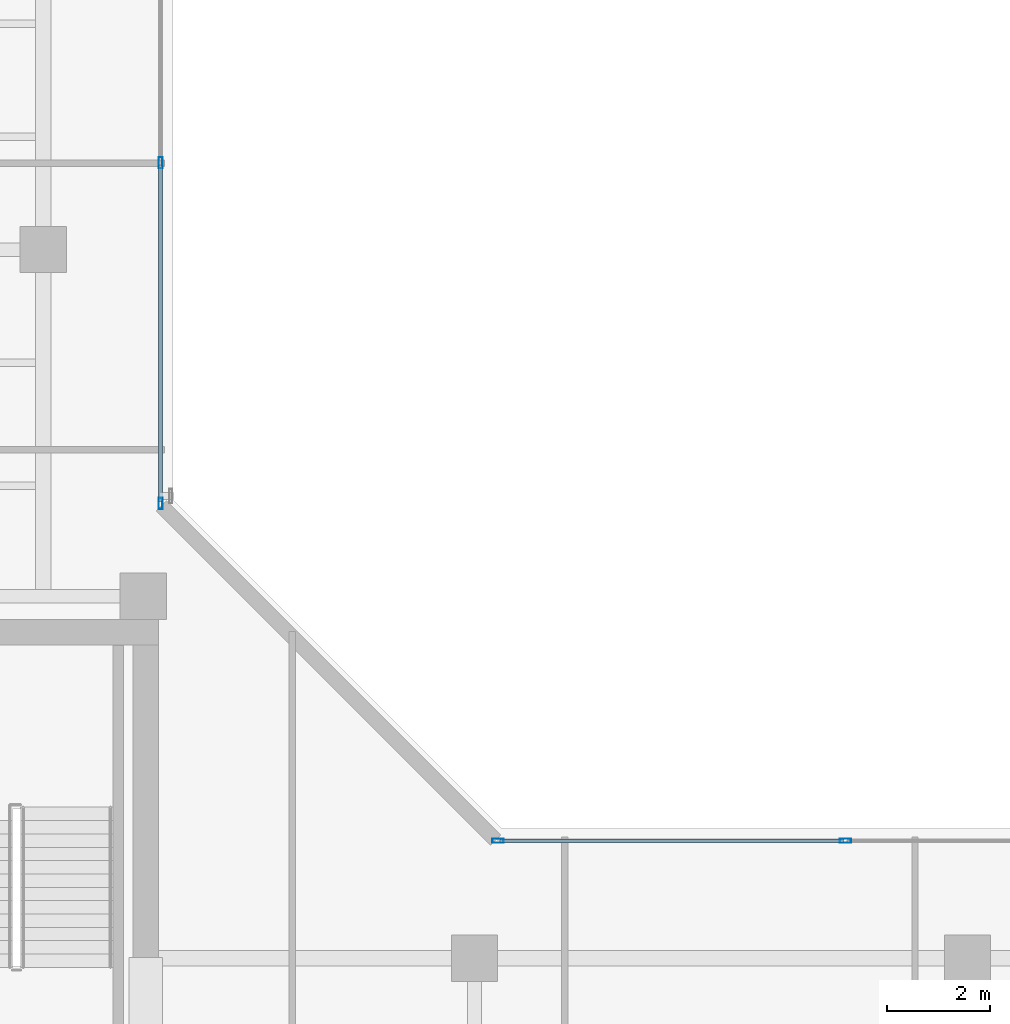
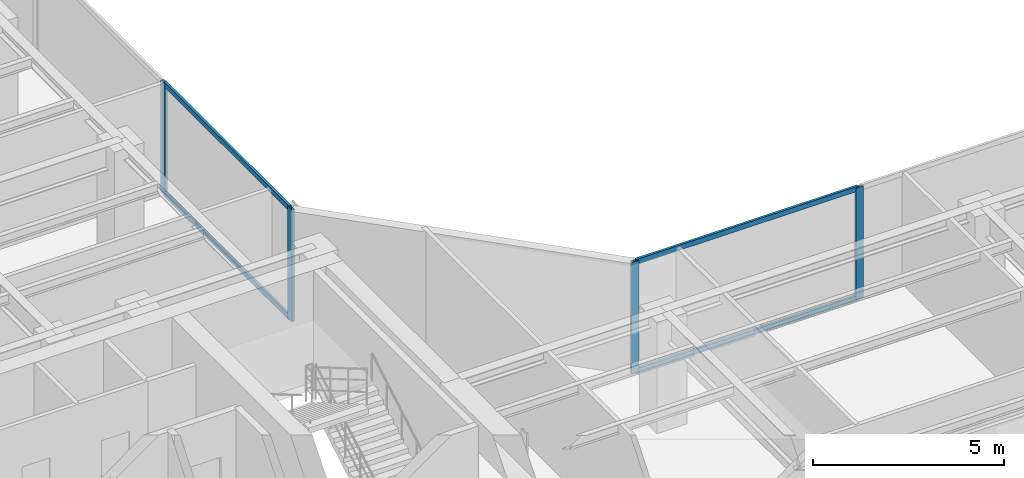
# One storey, part 9 of 23: 8 members, 2 elements without a shape of their own.
"""IFC4 building model written with IfcOpenShell, lengths in metres."""

from ifc_helpers import new_model, si_unit, direction, frame, origin, origin_with_axes, origin_2d, place, context, subcontext, project, spatial, hollow_rectangle, extrude, source, transform, mapped, material, layer, layer_set, material_profile, profile_set, type_object, element, aggregate, save


model = new_model("IFC4")

# Units and contexts
model_context = context("Model", 3, precision=1e-05, world=origin(), true_north=direction((0.0, 1.0)))
body_context = subcontext(model_context, "Body", "Model", "MODEL_VIEW")
ifc_project = project(units=[si_unit("LENGTHUNIT", "METRE"), si_unit("AREAUNIT", "SQUARE_METRE"), si_unit("VOLUMEUNIT", "CUBIC_METRE"), si_unit("PLANEANGLEUNIT", "RADIAN"), si_unit("MASSUNIT", "GRAM", prefix="KILO")], contexts=[model_context])

# Site, building, storey
site_placement = place(None, origin())
site = spatial("IfcSite", under=ifc_project, at=site_placement, CompositionType="ELEMENT")
building_placement = place(site_placement, origin())
building = spatial("IfcBuilding", under=site, at=building_placement, Name="Kolvaren Waterfront Exchange", CompositionType="ELEMENT")
storey_placement = place(building_placement, frame((0.0, 0.0, 289.39990234375)))
storey = spatial("IfcBuildingStorey", under=building, at=storey_placement, Name="L74", CompositionType="ELEMENT", Elevation=289.39990234375)

# Curtain wall, members
ifc_material_1 = material(Name="Anodised bronze aluminium 6063-T6", Category="aluminium")
ifc_layer = layer(ifc_material_1, 0.219970703125, Name="Anodised bronze aluminium 6063-T6")
ifc_layer_set = layer_set([ifc_layer], Name="Anodised bronze aluminium 6063-T6")
curtain_wall_type = type_object("IfcCurtainWallType", Name="ARC-CW-SYS1", PredefinedType="USERDEFINED", material=ifc_layer_set)
curtain_wall_1_placement = place(storey_placement, origin())
curtain_wall_1 = element("IfcCurtainWall", 1, at=curtain_wall_1_placement, inside=storey, type_object=curtain_wall_type, Name="L74 stick curtain wall CW1 (CW-L74-NE)", ObjectType="STICK CURTAIN WALL", PredefinedType="USERDEFINED")
ifc_material_2 = material(Name="Anodised aluminium 6063-T6", Category="aluminium")
ifc_material_profile_1 = material_profile(ifc_material_2, hollow_rectangle(XDim=0.080078125, YDim=0.219970703125, WallThickness=0.0048828125, at=origin_2d()), Name="ALU-MUL-220x80x5")
ifc_profile_set_1 = profile_set([ifc_material_profile_1], Name="Anodised aluminium 6063-T6")
member_type_1 = type_object("IfcMemberType", Name="ARC-CWM-220", PredefinedType="MULLION", material=ifc_profile_set_1)
shared_shape_1 = source(origin_with_axes(), body_context, "Body", "SweptSolid", [
    extrude(hollow_rectangle(XDim=0.080078125, YDim=0.219970703125, WallThickness=0.0048828125, at=origin_2d()), origin(), (0.0, 0.0, 1.0), 3.56005859375),
])
member_1_placement = place(storey_placement, frame((21.086181640625, 26.25634765625, 0.0), z_axis=(0.0, 0.0, 1.0), x_axis=(-1.0, 0.0, 0.0)))
member_1 = element("IfcMember", 2, at=member_1_placement, type_object=member_type_1, Name="CW1 mullion 1", PredefinedType="MULLION", context=body_context, shape_type="MappedRepresentation", body=[
    mapped(shared_shape_1, transform((0.0, 0.0, 0.0), x_axis=(1.0, 0.0, 0.0), y_axis=(0.0, 1.0, 0.0), z_axis=(0.0, 0.0, 1.0), scale=1.0)),
])
member_2_placement = place(storey_placement, frame((21.086181640625, 32.8916015625, 0.0), z_axis=(0.0, 0.0, 1.0), x_axis=(-1.0, 0.0, 0.0)))
member_2 = element("IfcMember", 3, at=member_2_placement, type_object=member_type_1, Name="CW1 mullion 2", PredefinedType="MULLION", context=body_context, shape_type="MappedRepresentation", body=[
    mapped(shared_shape_1, transform((0.0, 0.0, 0.0), x_axis=(1.0, 0.0, 0.0), y_axis=(0.0, 1.0, 0.0), z_axis=(0.0, 0.0, 1.0), scale=1.0)),
])

curtain_wall_2_placement = place(storey_placement, origin())
curtain_wall_2 = element("IfcCurtainWall", 4, at=curtain_wall_2_placement, inside=storey, type_object=curtain_wall_type, Name="L74 stick curtain wall CW1 (CW-L74-EN)", ObjectType="STICK CURTAIN WALL", PredefinedType="USERDEFINED")
member_3_placement = place(storey_placement, frame((27.65625, 19.686279296875, 0.0), z_axis=(0.0, 0.0, 1.0), x_axis=(0.0, 1.0, 0.0)))
member_3 = element("IfcMember", 5, at=member_3_placement, type_object=member_type_1, Name="CW1 mullion 1", PredefinedType="MULLION", context=body_context, shape_type="MappedRepresentation", body=[
    mapped(shared_shape_1, transform((0.0, 0.0, 0.0), x_axis=(1.0, 0.0, 0.0), y_axis=(0.0, 1.0, 0.0), z_axis=(0.0, 0.0, 1.0), scale=1.0)),
])
member_4_placement = place(storey_placement, frame((34.4248046875, 19.686279296875, 0.0), z_axis=(0.0, 0.0, 1.0), x_axis=(0.0, 1.0, 0.0)))
member_4 = element("IfcMember", 6, at=member_4_placement, type_object=member_type_1, Name="CW1 mullion 2", PredefinedType="MULLION", context=body_context, shape_type="MappedRepresentation", body=[
    mapped(shared_shape_1, transform((0.0, 0.0, 0.0), x_axis=(1.0, 0.0, 0.0), y_axis=(0.0, 1.0, 0.0), z_axis=(0.0, 0.0, 1.0), scale=1.0)),
])

# Member
ifc_material_profile_2 = material_profile(ifc_material_2, hollow_rectangle(XDim=0.074951171875, YDim=0.159912109375, WallThickness=0.00439453125, at=origin_2d()), Name="ALU-TRN-160x75x4.5")
ifc_profile_set_2 = profile_set([ifc_material_profile_2], Name="Anodised aluminium 6063-T6")
member_type_2 = type_object("IfcMemberType", Name="ARC-CWT-160", PredefinedType="USERDEFINED", material=ifc_profile_set_2)
shared_shape_2 = source(origin_with_axes(), body_context, "Body", "SweptSolid", [
    extrude(hollow_rectangle(XDim=0.074951171875, YDim=0.159912109375, WallThickness=0.00439453125, at=origin_2d()), origin(), (0.0, 0.0, 1.0), 6.55517578125),
])
member_5_placement = place(storey_placement, frame((21.086181640625, 26.29638671875, 0.03759765625), z_axis=(0.0, 1.0, 0.0), x_axis=(-1.0, 0.0, 0.0)))
member_5 = element("IfcMember", 7, at=member_5_placement, type_object=member_type_2, Name="CW1 transom 1.1", ObjectType="TRANSOM", PredefinedType="USERDEFINED", context=body_context, shape_type="MappedRepresentation", body=[
    mapped(shared_shape_2, transform((0.0, 0.0, 0.0), x_axis=(1.0, 0.0, 0.0), y_axis=(0.0, 1.0, 0.0), z_axis=(0.0, 0.0, 1.0), scale=1.0)),
])

member_6_placement = place(storey_placement, frame((21.086181640625, 26.29638671875, 3.522705078125), z_axis=(0.0, 1.0, 0.0), x_axis=(-1.0, 0.0, 0.0)))
member_6 = element("IfcMember", 8, at=member_6_placement, type_object=member_type_2, Name="CW1 transom 1.2", ObjectType="TRANSOM", PredefinedType="USERDEFINED", context=body_context, shape_type="MappedRepresentation", body=[
    mapped(shared_shape_2, transform((0.0, 0.0, 0.0), x_axis=(1.0, 0.0, 0.0), y_axis=(0.0, 1.0, 0.0), z_axis=(0.0, 0.0, 1.0), scale=1.0)),
])

aggregate(curtain_wall_1, [member_1, member_2, member_5, member_6])

shared_shape_3 = source(origin_with_axes(), body_context, "Body", "SweptSolid", [
    extrude(hollow_rectangle(XDim=0.074951171875, YDim=0.159912109375, WallThickness=0.00439453125, at=origin_2d()), origin(), (0.0, 0.0, 1.0), 6.688720703125),
])
member_7_placement = place(storey_placement, frame((27.6962890625, 19.686279296875, 0.03759765625), z_axis=(1.0, 0.0, 0.0), x_axis=(0.0, 1.0, 0.0)))
member_7 = element("IfcMember", 9, at=member_7_placement, type_object=member_type_2, Name="CW1 transom 1.1", ObjectType="TRANSOM", PredefinedType="USERDEFINED", context=body_context, shape_type="MappedRepresentation", body=[
    mapped(shared_shape_3, transform((0.0, 0.0, 0.0), x_axis=(1.0, 0.0, 0.0), y_axis=(0.0, 1.0, 0.0), z_axis=(0.0, 0.0, 1.0), scale=1.0)),
])

member_8_placement = place(storey_placement, frame((27.6962890625, 19.686279296875, 3.522705078125), z_axis=(1.0, 0.0, 0.0), x_axis=(0.0, 1.0, 0.0)))
member_8 = element("IfcMember", 10, at=member_8_placement, type_object=member_type_2, Name="CW1 transom 1.2", ObjectType="TRANSOM", PredefinedType="USERDEFINED", context=body_context, shape_type="MappedRepresentation", body=[
    mapped(shared_shape_3, transform((0.0, 0.0, 0.0), x_axis=(1.0, 0.0, 0.0), y_axis=(0.0, 1.0, 0.0), z_axis=(0.0, 0.0, 1.0), scale=1.0)),
])

aggregate(curtain_wall_2, [member_3, member_4, member_7, member_8])

save(model, "model.ifc")
